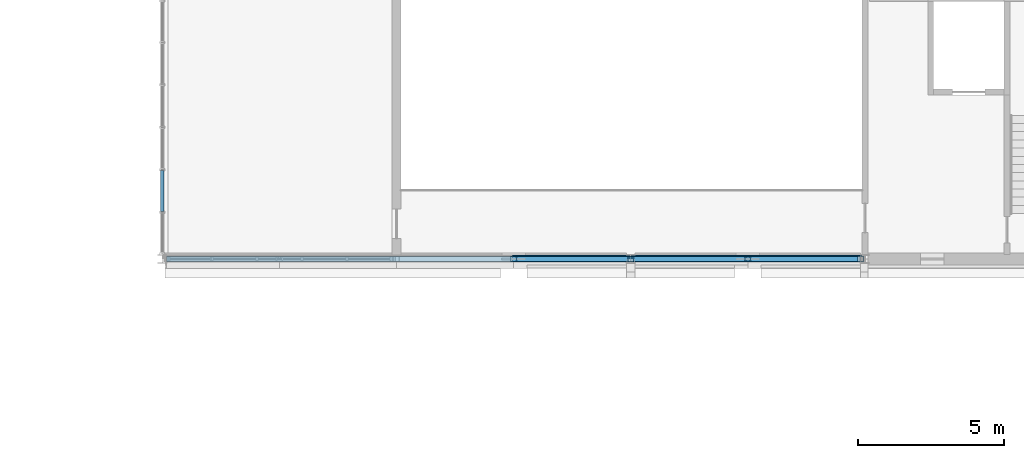
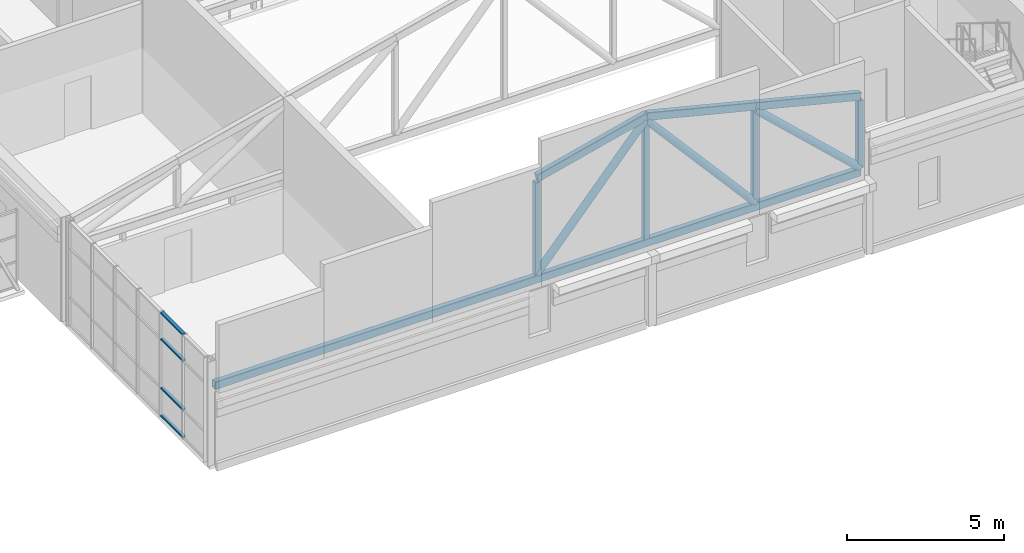
# One storey, part 68 of 149: 15 members, 1 element without a shape of its own.
"""IFC4 building model written with IfcOpenShell, lengths in metres."""

from ifc_helpers import new_model, si_unit, direction, frame, origin, origin_2d, place, context, subcontext, project, spatial, hollow_rectangle, hollow_circle, extrude, material, material_profile, profile_set, type_object, element, aggregate, save


model = new_model("IFC4")

# Units and contexts
model_context = context("Model", 3, precision=1e-05, world=origin(), true_north=direction((0.0, 1.0)))
body_context = subcontext(model_context, "Body", "Model", "MODEL_VIEW")
ifc_project = project(units=[si_unit("LENGTHUNIT", "METRE"), si_unit("AREAUNIT", "SQUARE_METRE"), si_unit("VOLUMEUNIT", "CUBIC_METRE"), si_unit("PLANEANGLEUNIT", "RADIAN"), si_unit("MASSUNIT", "GRAM", prefix="KILO")], contexts=[model_context])

# Site, building, storey
site_placement = place(None, origin())
site = spatial("IfcSite", under=ifc_project, at=site_placement, CompositionType="ELEMENT")
building_placement = place(site_placement, origin())
building = spatial("IfcBuilding", under=site, at=building_placement, Name="Kallimachos Central Library", CompositionType="ELEMENT")
storey_placement = place(building_placement, frame((0.0, 0.0, 9.89990234375)))
storey = spatial("IfcBuildingStorey", under=building, at=storey_placement, Name="L02", CompositionType="ELEMENT", Elevation=9.89990234375)

# Curtain wall, members
ifc_material_1 = material(Name="Laminated glass in anodised aluminium", Category="aluminium")
curtain_wall_type = type_object("IfcCurtainWallType", Name="Foyer curtain wall", PredefinedType="NOTDEFINED", material=ifc_material_1)
curtain_wall_placement = place(storey_placement, origin())
curtain_wall = element("IfcCurtainWall", 1, at=curtain_wall_placement, inside=storey, type_object=curtain_wall_type, Name="V3-CWL-L02-001", PredefinedType="NOTDEFINED")
ifc_material_2 = material(Name="Anodised aluminium", Category="aluminium")
ifc_material_profile_1 = material_profile(ifc_material_2, hollow_rectangle(XDim=0.06005859375, YDim=0.1201171875, WallThickness=0.00390625, at=origin_2d()), Name="ALU TRANSOM 60x120")
ifc_profile_set_1 = profile_set([ifc_material_profile_1], Name="Anodised aluminium")
member_type_1 = type_object("IfcMemberType", Name="ALU TRANSOM 60x120 transom", PredefinedType="USERDEFINED", material=ifc_profile_set_1)
member_1_placement = place(storey_placement, frame((138.0, 88.6298828125, 0.030029296875), z_axis=(0.0, 1.0, 0.0), x_axis=(0.0, 0.0, 1.0)))
member_1 = element("IfcMember", 2, at=member_1_placement, type_object=member_type_1, Name="CW transom 2.1", ObjectType="TRANSOM", PredefinedType="USERDEFINED", context=body_context, shape_type="SweptSolid", body=[
    extrude(hollow_rectangle(XDim=0.06005859375, YDim=0.1201171875, WallThickness=0.00390625, at=origin_2d()), origin(), (0.0, 0.0, 1.0), 1.39013671875),
])
member_2_placement = place(storey_placement, frame((138.0, 88.6298828125, 1.10009765625), z_axis=(0.0, 1.0, 0.0), x_axis=(0.0, 0.0, 1.0)))
member_2 = element("IfcMember", 3, at=member_2_placement, type_object=member_type_1, Name="CW transom 2.2", ObjectType="TRANSOM", PredefinedType="USERDEFINED", context=body_context, shape_type="SweptSolid", body=[
    extrude(hollow_rectangle(XDim=0.06005859375, YDim=0.1201171875, WallThickness=0.00390625, at=origin_2d()), origin(), (0.0, 0.0, 1.0), 1.39013671875),
])
member_3_placement = place(storey_placement, frame((138.0, 88.6298828125, 3.0), z_axis=(0.0, 1.0, 0.0), x_axis=(0.0, 0.0, 1.0)))
member_3 = element("IfcMember", 4, at=member_3_placement, type_object=member_type_1, Name="CW transom 2.3", ObjectType="TRANSOM", PredefinedType="USERDEFINED", context=body_context, shape_type="SweptSolid", body=[
    extrude(hollow_rectangle(XDim=0.06005859375, YDim=0.1201171875, WallThickness=0.00390625, at=origin_2d()), origin(), (0.0, 0.0, 1.0), 1.39013671875),
])
member_4_placement = place(storey_placement, frame((138.0, 88.6298828125, 4.02001953125), z_axis=(0.0, 1.0, 0.0), x_axis=(0.0, 0.0, 1.0)))
member_4 = element("IfcMember", 5, at=member_4_placement, type_object=member_type_1, Name="CW transom 2.4", ObjectType="TRANSOM", PredefinedType="USERDEFINED", context=body_context, shape_type="SweptSolid", body=[
    extrude(hollow_rectangle(XDim=0.06005859375, YDim=0.1201171875, WallThickness=0.00390625, at=origin_2d()), origin(), (0.0, 0.0, 1.0), 1.39013671875),
])
aggregate(curtain_wall, [member_1, member_2, member_3, member_4])

# Members
ifc_material_3 = material(Name="Steel S355J2H", Category="steel")
ifc_material_profile_2 = material_profile(ifc_material_3, hollow_circle(Radius=0.136474609375, WallThickness=0.012451171875, at=origin_2d()), Name="CHS 273x12.5")
ifc_profile_set_2 = profile_set([ifc_material_profile_2], Name="Steel S355J2H")
member_type_2 = type_object("IfcMemberType", Name="CHS 273x12.5 truss brace", PredefinedType="BRACE", material=ifc_profile_set_2)
for number, where, z_axis, x_axis, name in (
    (6, (150.0, 87.0, 3.150146484375), (0.656190613651, 0.0, 0.75459517528), (0.0, 1.0, 0.0), "Truss T1 brace 4"),
    (7, (154.0, 87.0, 7.75), (0.656190613651, 0.0, -0.75459517528), (0.0, 1.0, 0.0), "Truss T1 brace 5"),
):
    element("IfcMember", number, at=place(storey_placement, frame(where, z_axis=z_axis, x_axis=x_axis)), inside=storey, type_object=member_type_2, Name=name, PredefinedType="BRACE", context=body_context, shape_type="SweptSolid", body=[
        extrude(hollow_circle(Radius=0.136474609375, WallThickness=0.012451171875, at=origin_2d()), origin(), (0.0, 0.0, 1.0), 6.095703125),
    ])
member_5_placement = place(storey_placement, frame((158.0, 87.0, 6.75), z_axis=(0.730446562778, 0.0, -0.682969852135), x_axis=(0.0, 1.0, 0.0)))
element("IfcMember", 8, at=member_5_placement, inside=storey, type_object=member_type_2, Name="Truss T1 brace 6", PredefinedType="BRACE", context=body_context, shape_type="SweptSolid", body=[
    extrude(hollow_circle(Radius=0.136474609375, WallThickness=0.012451171875, at=origin_2d()), origin(), (0.0, 0.0, 1.0), 5.27099609375),
])
ifc_material_4 = material(Name="Steel S355J2H", Category="steel")
ifc_material_profile_3 = material_profile(ifc_material_4, hollow_rectangle(XDim=0.199951171875, YDim=0.300048828125, WallThickness=0.012451171875, InnerFilletRadius=0.012451171875, OuterFilletRadius=0.018798828125, at=origin_2d()), Name="RHS 300x200x12.5")
ifc_profile_set_3 = profile_set([ifc_material_profile_3], Name="Steel S355J2H")
member_type_3 = type_object("IfcMemberType", Name="RHS 300x200x12.5 truss chord", PredefinedType="CHORD", material=ifc_profile_set_3)
member_6_placement = place(storey_placement, frame((138.14990234375, 87.0, 3.0), z_axis=(1.0, 0.0, 0.0), x_axis=(0.0, 1.0, 0.0)))
element("IfcMember", 9, at=member_6_placement, inside=storey, type_object=member_type_3, Name="Truss T1 bottom chord", PredefinedType="CHORD", context=body_context, shape_type="SweptSolid", body=[
    extrude(hollow_rectangle(XDim=0.199951171875, YDim=0.300048828125, WallThickness=0.012451171875, InnerFilletRadius=0.012451171875, OuterFilletRadius=0.018798828125, at=origin_2d()), origin(), (0.0, 0.0, 1.0), 23.7001953125),
])
for number, where, z_axis, x_axis, name in (
    (10, (150.0, 87.0, 6.900146484375), (0.970142500145, 0.0, 0.242535625036), (0.0, 1.0, 0.0), "Truss T1 top chord 4"),
    (11, (154.0, 87.0, 7.900146484375), (0.970142500145, 0.0, -0.242535625036), (0.0, 1.0, 0.0), "Truss T1 top chord 5"),
):
    element("IfcMember", number, at=place(storey_placement, frame(where, z_axis=z_axis, x_axis=x_axis)), inside=storey, type_object=member_type_3, Name=name, PredefinedType="CHORD", context=body_context, shape_type="SweptSolid", body=[
        extrude(hollow_rectangle(XDim=0.199951171875, YDim=0.300048828125, WallThickness=0.012451171875, InnerFilletRadius=0.012451171875, OuterFilletRadius=0.018798828125, at=origin_2d()), origin(), (0.0, 0.0, 1.0), 4.123046875),
    ])
member_7_placement = place(storey_placement, frame((158.0, 87.0, 6.900146484375), z_axis=(0.970135262328, 0.0, -0.242564574468), x_axis=(0.0, 1.0, 0.0)))
element("IfcMember", 12, at=member_7_placement, inside=storey, type_object=member_type_3, Name="Truss T1 top chord 6", PredefinedType="CHORD", context=body_context, shape_type="SweptSolid", body=[
    extrude(hollow_rectangle(XDim=0.199951171875, YDim=0.300048828125, WallThickness=0.012451171875, InnerFilletRadius=0.012451171875, OuterFilletRadius=0.018798828125, at=origin_2d()), origin(), (0.0, 0.0, 1.0), 3.968505859375),
])
ifc_material_5 = material(Name="Steel S355J2H", Category="steel")
ifc_material_profile_4 = material_profile(ifc_material_5, hollow_rectangle(XDim=0.199951171875, YDim=0.199951171875, WallThickness=0.010009765625, InnerFilletRadius=0.010009765625, OuterFilletRadius=0.014892578125, at=origin_2d()), Name="SHS 200x200x10")
ifc_profile_set_4 = profile_set([ifc_material_profile_4], Name="Steel S355J2H")
member_type_4 = type_object("IfcMemberType", Name="SHS 200x200x10 truss post", PredefinedType="POST", material=ifc_profile_set_4)
member_8_placement = place(storey_placement, frame((150.0, 87.0, 3.150146484375), z_axis=(0.0, 0.0, 1.0), x_axis=(1.0, 0.0, 0.0)))
element("IfcMember", 13, at=member_8_placement, inside=storey, type_object=member_type_4, Name="Truss T1 post 4", PredefinedType="POST", context=body_context, shape_type="SweptSolid", body=[
    extrude(hollow_rectangle(XDim=0.199951171875, YDim=0.199951171875, WallThickness=0.010009765625, InnerFilletRadius=0.010009765625, OuterFilletRadius=0.014892578125, at=origin_2d()), origin(), (0.0, 0.0, 1.0), 3.599853515625),
])
member_9_placement = place(storey_placement, frame((154.0, 87.0, 3.150146484375), z_axis=(0.0, 0.0, 1.0), x_axis=(1.0, 0.0, 0.0)))
element("IfcMember", 14, at=member_9_placement, inside=storey, type_object=member_type_4, Name="Truss T1 post 5", PredefinedType="POST", context=body_context, shape_type="SweptSolid", body=[
    extrude(hollow_rectangle(XDim=0.199951171875, YDim=0.199951171875, WallThickness=0.010009765625, InnerFilletRadius=0.010009765625, OuterFilletRadius=0.014892578125, at=origin_2d()), origin(), (0.0, 0.0, 1.0), 4.599853515625),
])
member_10_placement = place(storey_placement, frame((158.0, 87.0, 3.150146484375), z_axis=(0.0, 0.0, 1.0), x_axis=(1.0, 0.0, 0.0)))
element("IfcMember", 15, at=member_10_placement, inside=storey, type_object=member_type_4, Name="Truss T1 post 6", PredefinedType="POST", context=body_context, shape_type="SweptSolid", body=[
    extrude(hollow_rectangle(XDim=0.199951171875, YDim=0.199951171875, WallThickness=0.010009765625, InnerFilletRadius=0.010009765625, OuterFilletRadius=0.014892578125, at=origin_2d()), origin(), (0.0, 0.0, 1.0), 3.599853515625),
])
member_11_placement = place(storey_placement, frame((161.85009765625, 87.0, 3.150146484375), z_axis=(0.0, 0.0, 1.0), x_axis=(1.0, 0.0, 0.0)))
element("IfcMember", 16, at=member_11_placement, inside=storey, type_object=member_type_4, Name="Truss T1 post 7", PredefinedType="POST", context=body_context, shape_type="SweptSolid", body=[
    extrude(hollow_rectangle(XDim=0.199951171875, YDim=0.199951171875, WallThickness=0.010009765625, InnerFilletRadius=0.010009765625, OuterFilletRadius=0.014892578125, at=origin_2d()), origin(), (0.0, 0.0, 1.0), 2.637451171875),
])

save(model, "model.ifc")
